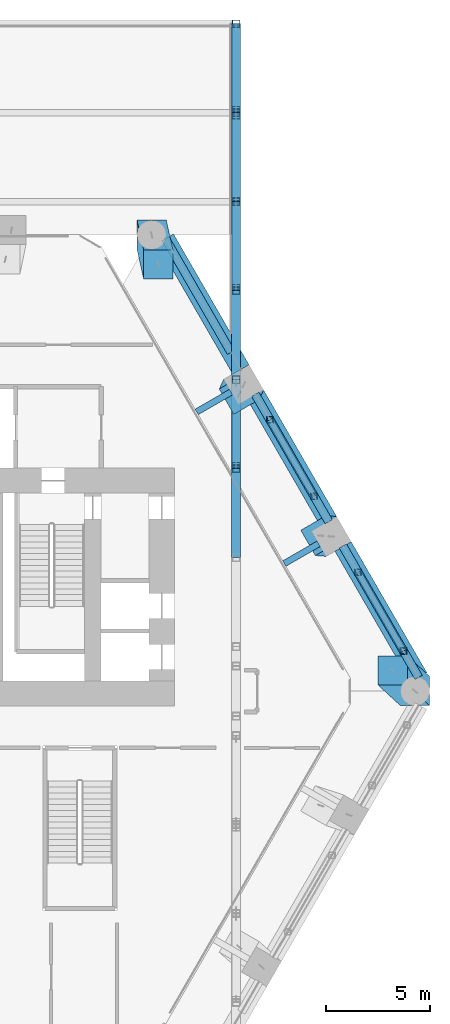
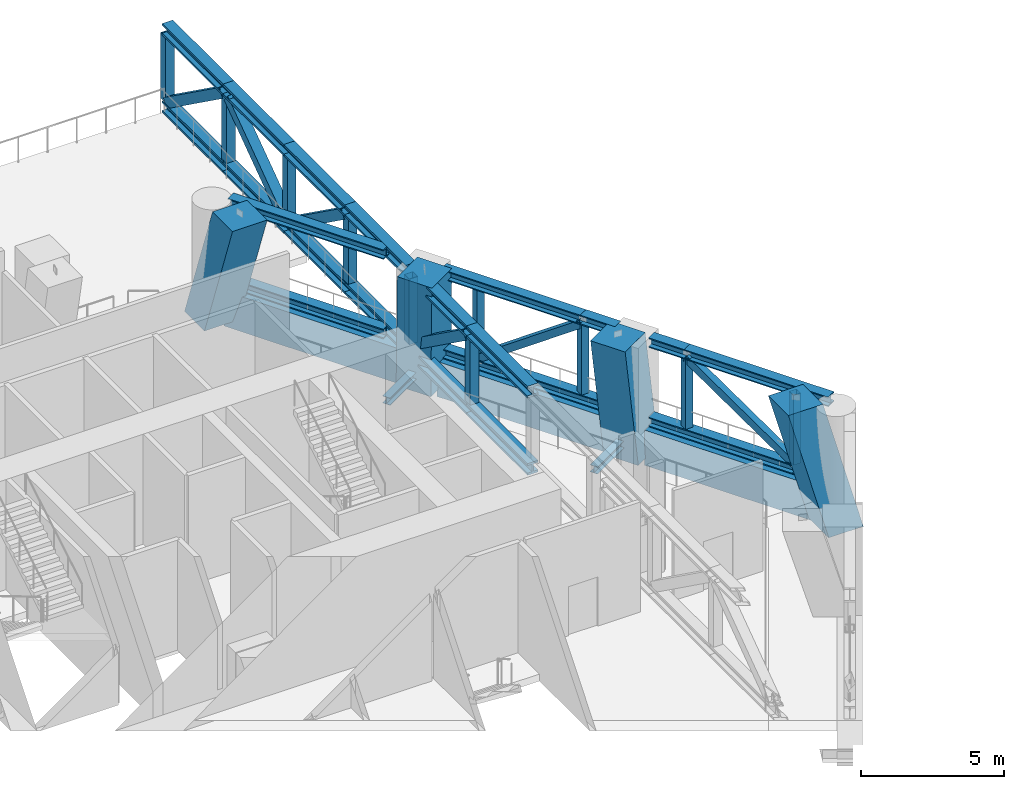
# One storey, part 7 of 20: 42 members, 5 beams.
"""IFC4 building model written with IfcOpenShell, lengths in metres."""

from ifc_helpers import new_model, si_unit, direction, frame, origin, origin_2d, place, context, subcontext, project, spatial, rectangle, hollow_rectangle, i_section, extrude, material, material_profile, profile_set, type_object, element, save


model = new_model("IFC4")

# Units and contexts
model_context = context("Model", 3, precision=1e-05, world=origin(), true_north=direction((0.0, 1.0)))
body_context = subcontext(model_context, "Body", "Model", "MODEL_VIEW")
ifc_project = project(units=[si_unit("LENGTHUNIT", "METRE"), si_unit("AREAUNIT", "SQUARE_METRE"), si_unit("VOLUMEUNIT", "CUBIC_METRE"), si_unit("PLANEANGLEUNIT", "RADIAN"), si_unit("MASSUNIT", "GRAM", prefix="KILO")], contexts=[model_context])

# Site, building, storey
site_placement = place(None, origin())
site = spatial("IfcSite", under=ifc_project, at=site_placement, CompositionType="ELEMENT")
building_placement = place(site_placement, origin())
building = spatial("IfcBuilding", under=site, at=building_placement, Name="Ostrander Bayou Hotel Tower", CompositionType="ELEMENT")
storey_placement = place(building_placement, frame((0.0, 0.0, 80.5)))
storey = spatial("IfcBuildingStorey", under=building, at=storey_placement, Name="L20", CompositionType="ELEMENT", Elevation=80.5)

# Members
ifc_material_1 = material(Name="Steel ASTM A992", Category="steel")
ifc_material_profile_1 = material_profile(ifc_material_1, i_section(OverallWidth=0.403564453125, OverallDepth=0.407470703125, WebThickness=0.027099609375, FlangeThickness=0.043701171875, at=origin_2d()))
ifc_profile_set_1 = profile_set([ifc_material_profile_1], Name="Steel ASTM A992")
member_type_1 = type_object("IfcMemberType", Name="BT1 belt truss chord W14x233", PredefinedType="CHORD", material=ifc_profile_set_1)
member_1_placement = place(storey_placement, frame((23.707275390625, -0.325927734375, 0.20361328125), z_axis=(-0.50000343918, 0.866023418164, 0.0), x_axis=(-0.866023418164, -0.50000343918, 0.0)))
element("IfcMember", 1, at=member_1_placement, inside=storey, type_object=member_type_1, Name="BT1 L20 NE-1B1", PredefinedType="CHORD", context=body_context, shape_type="SweptSolid", body=[
    extrude(i_section(OverallWidth=0.403564453125, OverallDepth=0.407470703125, WebThickness=0.027099609375, FlangeThickness=0.043701171875, at=origin_2d()), origin(), (0.0, 0.0, 1.0), 1.4541015625),
])
for number, where, z_axis, x_axis, name in (
    (2, (22.980224609375, 0.933349609375, 0.20361328125), (-0.50000343918, 0.866023418164, 0.0), (-0.866023418164, -0.50000343918, 0.0), "BT1 L20 NE-1B2"),
    (3, (23.707275390625, -0.325927734375, 3.59619140625), (-0.50000343918, 0.866023418164, 0.0), (-0.866023418164, -0.50000343918, 0.0), "BT1 L20 NE-1T1"),
):
    element("IfcMember", number, at=place(storey_placement, frame(where, z_axis=z_axis, x_axis=x_axis)), inside=storey, type_object=member_type_1, Name=name, PredefinedType="CHORD", context=body_context, shape_type="SweptSolid", body=[
        extrude(i_section(OverallWidth=0.403564453125, OverallDepth=0.407470703125, WebThickness=0.027099609375, FlangeThickness=0.043701171875, at=origin_2d()), origin(), (0.0, 0.0, 1.0), 5.81640625),
    ])
member_2_placement = place(storey_placement, frame((20.799072265625, 4.711181640625, 3.59619140625), z_axis=(-0.50000343918, 0.866023418164, 0.0), x_axis=(-0.866023418164, -0.50000343918, 0.0)))
element("IfcMember", 4, at=member_2_placement, inside=storey, type_object=member_type_1, Name="BT1 L20 NE-1T2", PredefinedType="CHORD", context=body_context, shape_type="SweptSolid", body=[
    extrude(i_section(OverallWidth=0.403564453125, OverallDepth=0.407470703125, WebThickness=0.027099609375, FlangeThickness=0.043701171875, at=origin_2d()), origin(), (0.0, 0.0, 1.0), 1.4541015625),
])
member_3_placement = place(storey_placement, frame((19.402099609375, 7.131103515625, 0.20361328125), z_axis=(-0.500012199891, 0.86601836006, 0.0), x_axis=(-0.86601836006, -0.500012199891, 0.0)))
element("IfcMember", 5, at=member_3_placement, inside=storey, type_object=member_type_1, Name="BT1 L20 NE-2B1", PredefinedType="CHORD", context=body_context, shape_type="SweptSolid", body=[
    extrude(i_section(OverallWidth=0.403564453125, OverallDepth=0.407470703125, WebThickness=0.027099609375, FlangeThickness=0.043701171875, at=origin_2d()), origin(), (0.0, 0.0, 1.0), 5.640380859375),
])
for number, where, z_axis, x_axis, name in (
    (6, (16.581787109375, 12.015869140625, 0.20361328125), (-0.500012199891, 0.86601836006, 0.0), (-0.86601836006, -0.500012199891, 0.0), "BT1 L20 NE-2B2"),
    (7, (19.402099609375, 7.131103515625, 3.59619140625), (-0.500012199891, 0.86601836006, 0.0), (-0.86601836006, -0.500012199891, 0.0), "BT1 L20 NE-2T1"),
):
    element("IfcMember", number, at=place(storey_placement, frame(where, z_axis=z_axis, x_axis=x_axis)), inside=storey, type_object=member_type_1, Name=name, PredefinedType="CHORD", context=body_context, shape_type="SweptSolid", body=[
        extrude(i_section(OverallWidth=0.403564453125, OverallDepth=0.407470703125, WebThickness=0.027099609375, FlangeThickness=0.043701171875, at=origin_2d()), origin(), (0.0, 0.0, 1.0), 1.41015625),
    ])
member_4_placement = place(storey_placement, frame((18.697021484375, 8.352294921875, 3.59619140625), z_axis=(-0.500012199891, 0.86601836006, 0.0), x_axis=(-0.86601836006, -0.500012199891, 0.0)))
element("IfcMember", 8, at=member_4_placement, inside=storey, type_object=member_type_1, Name="BT1 L20 NE-2T2", PredefinedType="CHORD", context=body_context, shape_type="SweptSolid", body=[
    extrude(i_section(OverallWidth=0.403564453125, OverallDepth=0.407470703125, WebThickness=0.027099609375, FlangeThickness=0.043701171875, at=origin_2d()), origin(), (0.0, 0.0, 1.0), 5.640380859375),
])
for number, where, z_axis, x_axis, name in (
    (9, (14.718994140625, 15.2421875, 0.20361328125), (-0.500005559427, 0.866022194024, 0.0), (-0.866022194024, -0.500005559427, 0.0), "BT1 L20 NE-3B2"),
    (10, (14.718994140625, 15.2421875, 3.59619140625), (-0.500005559427, 0.866022194024, 0.0), (-0.866022194024, -0.500005559427, 0.0), "BT1 L20 NE-3T2"),
):
    element("IfcMember", number, at=place(storey_placement, frame(where, z_axis=z_axis, x_axis=x_axis)), inside=storey, type_object=member_type_1, Name=name, PredefinedType="CHORD", context=body_context, shape_type="SweptSolid", body=[
        extrude(i_section(OverallWidth=0.403564453125, OverallDepth=0.407470703125, WebThickness=0.027099609375, FlangeThickness=0.043701171875, at=origin_2d()), origin(), (0.0, 0.0, 1.0), 6.29541015625),
    ])
ifc_material_2 = material(Name="Steel ASTM A572 Gr 50", Category="steel")
ifc_material_profile_2 = material_profile(ifc_material_2, hollow_rectangle(XDim=0.3046875, YDim=0.3046875, WallThickness=0.017822265625, at=origin_2d()))
ifc_profile_set_2 = profile_set([ifc_material_profile_2], Name="Steel ASTM A572 Gr 50")
member_type_2 = type_object("IfcMemberType", Name="BT2 belt truss diagonal box 12 x 12 x 3/4", PredefinedType="BRACE", material=ifc_profile_set_2)
member_5_placement = place(storey_placement, frame((22.980224609375, 0.933349609375, 0.407470703125), z_axis=(-0.412639136014, 0.714705394077, 0.564734577574), x_axis=(-0.866023418164, -0.50000343918, 0.0)))
element("IfcMember", 11, at=member_5_placement, inside=storey, type_object=member_type_2, Name="BT2 L20 NE-1D", PredefinedType="BRACE", context=body_context, shape_type="SweptSolid", body=[
    extrude(hollow_rectangle(XDim=0.3046875, YDim=0.3046875, WallThickness=0.017822265625, at=origin_2d()), origin(), (0.0, 0.0, 1.0), 5.285888671875),
])
member_6_placement = place(storey_placement, frame((16.581787109375, 12.015869140625, 0.407470703125), z_axis=(0.408540891209, -0.707590560189, 0.57655003195), x_axis=(0.86601836006, 0.500012199891, 0.0)))
element("IfcMember", 12, at=member_6_placement, inside=storey, type_object=member_type_2, Name="BT2 L20 NE-2D", PredefinedType="BRACE", context=body_context, shape_type="SweptSolid", body=[
    extrude(hollow_rectangle(XDim=0.3046875, YDim=0.3046875, WallThickness=0.017822265625, at=origin_2d()), origin(), (0.0, 0.0, 1.0), 5.177490234375),
])
ifc_material_3 = material(Name="Steel ASTM A500 Gr C", Category="steel")
ifc_material_profile_3 = material_profile(ifc_material_3, hollow_rectangle(XDim=0.3046875, YDim=0.3046875, WallThickness=0.0146484375, at=origin_2d()))
ifc_profile_set_3 = profile_set([ifc_material_profile_3], Name="Steel ASTM A500 Gr C")
member_type_3 = type_object("IfcMemberType", Name="BT7 belt truss vertical HSS12x12x5/8", PredefinedType="POST", material=ifc_profile_set_3)
for number, where, z_axis, x_axis, name in (
    (13, (22.980224609375, 0.933349609375, 0.407470703125), (0.0, 0.0, 1.0), (1.0, 0.0, 0.0), "BT7 L20 NE-1V1"),
    (14, (20.799072265625, 4.711181640625, 0.407470703125), (0.0, 0.0, 1.0), (1.0, 0.0, 0.0), "BT7 L20 NE-1V2"),
    (15, (18.697021484375, 8.352294921875, 0.407470703125), (0.0, 0.0, 1.0), (1.0, 0.0, 0.0), "BT7 L20 NE-2V1"),
    (16, (16.581787109375, 12.015869140625, 0.407470703125), (0.0, 0.0, 1.0), (1.0, 0.0, 0.0), "BT7 L20 NE-2V2"),
):
    element("IfcMember", number, at=place(storey_placement, frame(where, z_axis=z_axis, x_axis=x_axis)), inside=storey, type_object=member_type_3, Name=name, PredefinedType="POST", context=body_context, shape_type="SweptSolid", body=[
        extrude(hollow_rectangle(XDim=0.3046875, YDim=0.3046875, WallThickness=0.0146484375, at=origin_2d()), origin(), (0.0, 0.0, 1.0), 2.985107421875),
    ])
ifc_material_4 = material(Name="Concrete f'c 70 MPa", Category="concrete")
ifc_material_profile_4 = material_profile(ifc_material_4, rectangle(XDim=1.39990234375, YDim=1.39990234375, at=origin_2d()))
ifc_profile_set_4 = profile_set([ifc_material_profile_4], Name="Concrete f'c 70 MPa")
member_type_4 = type_object("IfcMemberType", Name="KC1 kinked column 1400 x 1400 mm f'c 70 MPa", PredefinedType="STRUT", material=ifc_profile_set_4)
member_7_placement = place(storey_placement, frame((23.5341796875, -0.98193359375, -1.199951171875), z_axis=(0.0, 0.0, 1.0), x_axis=(1.0, 0.0, 0.0)))
element("IfcMember", 17, at=member_7_placement, inside=storey, type_object=member_type_4, Name="KC1 L20 K4", PredefinedType="STRUT", context=body_context, shape_type="SweptSolid", body=[
    extrude(rectangle(XDim=1.39990234375, YDim=1.39990234375, at=origin_2d()), origin(), (-0.204620963045, 0.188628355115, 0.960494458667), 5.20556640625),
])
member_8_placement = place(storey_placement, frame((10.916748046875, 20.872314453125, -1.199951171875), z_axis=(0.0, 0.0, 1.0), x_axis=(1.0, 0.0, 0.0)))
element("IfcMember", 18, at=member_8_placement, inside=storey, type_object=member_type_4, Name="KC1 L20 K5", PredefinedType="STRUT", context=body_context, shape_type="SweptSolid", body=[
    extrude(rectangle(XDim=1.39990234375, YDim=1.39990234375, at=origin_2d()), origin(), (0.061062211322, -0.271543935141, 0.960487010655), 5.205810546875),
])
member_9_placement = place(storey_placement, frame((19.5205078125, 6.42578125, -1.199951171875), z_axis=(0.0, 0.0, 1.0), x_axis=(0.5, -0.866025403784, 0.0)))
element("IfcMember", 19, at=member_9_placement, inside=storey, type_object=member_type_4, Name="KC1 L20 NE1", PredefinedType="STRUT", context=body_context, shape_type="SweptSolid", body=[
    extrude(rectangle(XDim=1.39990234375, YDim=1.39990234375, at=origin_2d()), origin(), (-0.057443154127, -0.083172240782, 0.994878214862), 5.025634765625),
])
member_10_placement = place(storey_placement, frame((15.3251953125, 13.6923828125, -1.199951171875), z_axis=(0.0, 0.0, 1.0), x_axis=(0.5, -0.866025403784, 0.0)))
element("IfcMember", 20, at=member_10_placement, inside=storey, type_object=member_type_4, Name="KC1 L20 NE2", PredefinedType="STRUT", context=body_context, shape_type="SweptSolid", body=[
    extrude(rectangle(XDim=1.39990234375, YDim=1.39990234375, at=origin_2d()), origin(), (0.057425422345, -0.083189594665, 0.994877787574), 5.025634765625),
])

# Beams
ifc_material_5 = material(Name="Steel ASTM A992", Category="steel")
ifc_material_profile_5 = material_profile(ifc_material_5, i_section(OverallWidth=0.3046875, OverallDepth=0.307861328125, WebThickness=0.010009765625, FlangeThickness=0.015380859375, at=origin_2d()))
ifc_profile_set_5 = profile_set([ifc_material_profile_5], Name="Steel ASTM A992")
beam_type_1 = type_object("IfcBeamType", Name="LB1 loggia bracket W12x65", PredefinedType="BEAM", material=ifc_profile_set_5)
for number, where, z_axis, x_axis, name in (
    (21, (18.914306640625, 6.07568359375, -0.453857421875), (-0.866044365799, -0.499967155389, 0.0), (0.499967155389, -0.866044365799, 0.0), "LB1 L20 NE1"),
    (22, (14.718994140625, 13.34228515625, -0.453857421875), (-0.866044365799, -0.499967155389, 0.0), (0.499967155389, -0.866044365799, 0.0), "LB1 L20 NE2"),
):
    element("IfcBeam", number, at=place(storey_placement, frame(where, z_axis=z_axis, x_axis=x_axis)), inside=storey, type_object=beam_type_1, Name=name, PredefinedType="BEAM", context=body_context, shape_type="SweptSolid", body=[
        extrude(i_section(OverallWidth=0.3046875, OverallDepth=0.307861328125, WebThickness=0.010009765625, FlangeThickness=0.015380859375, at=origin_2d()), origin(), (0.0, 0.0, 1.0), 1.900146484375),
    ])
ifc_material_6 = material(Name="Concrete f'c 70 MPa", Category="concrete")
ifc_material_profile_6 = material_profile(ifc_material_6, rectangle(XDim=0.89990234375, YDim=1.5, at=origin_2d()))
ifc_profile_set_6 = profile_set([ifc_material_profile_6], Name="Concrete f'c 70 MPa")
beam_type_2 = type_object("IfcBeamType", Name="SPB1 belt spandrel beam 900 x 1500 mm f'c 70 MPa", PredefinedType="SPANDREL", material=ifc_profile_set_6)
beam_1_placement = place(storey_placement, frame((23.707275390625, -0.325927734375, -0.75), z_axis=(-0.50000343918, 0.866023418164, 0.0), x_axis=(-0.866023418164, -0.50000343918, 0.0)))
element("IfcBeam", 23, at=beam_1_placement, inside=storey, type_object=beam_type_2, Name="SP1 L20 NE-1", PredefinedType="SPANDREL", context=body_context, shape_type="SweptSolid", body=[
    extrude(rectangle(XDim=0.89990234375, YDim=1.5, at=origin_2d()), origin(), (0.0, 0.0, 1.0), 7.2705078125),
])
beam_2_placement = place(storey_placement, frame((19.402099609375, 7.131103515625, -0.75), z_axis=(-0.500012199891, 0.86601836006, 0.0), x_axis=(-0.86601836006, -0.500012199891, 0.0)))
element("IfcBeam", 24, at=beam_2_placement, inside=storey, type_object=beam_type_2, Name="SP1 L20 NE-2", PredefinedType="SPANDREL", context=body_context, shape_type="SweptSolid", body=[
    extrude(rectangle(XDim=0.89990234375, YDim=1.5, at=origin_2d()), origin(), (0.0, 0.0, 1.0), 7.050537109375),
])
beam_3_placement = place(storey_placement, frame((15.20654296875, 14.397705078125, -0.75), z_axis=(-0.50000343918, 0.866023418164, 0.0), x_axis=(-0.866023418164, -0.50000343918, 0.0)))
element("IfcBeam", 25, at=beam_3_placement, inside=storey, type_object=beam_type_2, Name="SP1 L20 NE-3", PredefinedType="SPANDREL", context=body_context, shape_type="SweptSolid", body=[
    extrude(rectangle(XDim=0.89990234375, YDim=1.5, at=origin_2d()), origin(), (0.0, 0.0, 1.0), 7.2705078125),
])

# Members
ifc_material_7 = material(Name="Steel ASTM A992", Category="steel")
ifc_material_profile_7 = material_profile(ifc_material_7, i_section(OverallWidth=0.43212890625, OverallDepth=0.497802734375, WebThickness=0.0556640625, FlangeThickness=0.0888671875, at=origin_2d()))
ifc_profile_set_7 = profile_set([ifc_material_profile_7], Name="Steel ASTM A992")
member_type_5 = type_object("IfcMemberType", Name="TT1 through-truss chord W14x500", PredefinedType="CHORD", material=ifc_profile_set_7)
for number, where, z_axis, x_axis, name in (
    (26, (14.965087890625, 30.986083984375, 0.248779296875), (0.0, -1.0, 0.0), (1.0, 0.0, 0.0), "TT1 SB1B B1"),
    (27, (14.965087890625, 30.986083984375, 3.551025390625), (0.0, -1.0, 0.0), (1.0, 0.0, 0.0), "TT1 SB1B T1"),
):
    element("IfcMember", number, at=place(storey_placement, frame(where, z_axis=z_axis, x_axis=x_axis)), inside=storey, type_object=member_type_5, Name=name, PredefinedType="CHORD", context=body_context, shape_type="SweptSolid", body=[
        extrude(i_section(OverallWidth=0.43212890625, OverallDepth=0.497802734375, WebThickness=0.0556640625, FlangeThickness=0.0888671875, at=origin_2d()), origin(), (0.0, 0.0, 1.0), 4.26220703125),
    ])
for number, where, z_axis, x_axis, name in (
    (28, (14.965087890625, 26.723876953125, 0.248779296875), (0.0, -1.0, 0.0), (1.0, 0.0, 0.0), "TT1 SB1B B2"),
    (29, (14.965087890625, 26.723876953125, 3.551025390625), (0.0, -1.0, 0.0), (1.0, 0.0, 0.0), "TT1 SB1B T2"),
    (30, (14.965087890625, 22.46142578125, 0.248779296875), (0.0, -1.0, 0.0), (1.0, 0.0, 0.0), "TT1 SB1B B3"),
    (31, (14.965087890625, 22.46142578125, 3.551025390625), (0.0, -1.0, 0.0), (1.0, 0.0, 0.0), "TT1 SB1B T3"),
    (32, (14.965087890625, 18.198974609375, 0.248779296875), (0.0, -1.0, 0.0), (1.0, 0.0, 0.0), "TT1 SB1B B4"),
    (33, (14.965087890625, 18.198974609375, 3.551025390625), (0.0, -1.0, 0.0), (1.0, 0.0, 0.0), "TT1 SB1B T4"),
    (34, (14.965087890625, 13.9365234375, 0.248779296875), (0.0, -1.0, 0.0), (1.0, 0.0, 0.0), "TT1 SB1B B5"),
    (35, (14.965087890625, 13.9365234375, 3.551025390625), (0.0, -1.0, 0.0), (1.0, 0.0, 0.0), "TT1 SB1B T5"),
    (36, (14.965087890625, 9.674072265625, 0.248779296875), (0.0, -1.0, 0.0), (1.0, 0.0, 0.0), "TT1 SB1B B6"),
    (37, (14.965087890625, 9.674072265625, 3.551025390625), (0.0, -1.0, 0.0), (1.0, 0.0, 0.0), "TT1 SB1B T6"),
):
    element("IfcMember", number, at=place(storey_placement, frame(where, z_axis=z_axis, x_axis=x_axis)), inside=storey, type_object=member_type_5, Name=name, PredefinedType="CHORD", context=body_context, shape_type="SweptSolid", body=[
        extrude(i_section(OverallWidth=0.43212890625, OverallDepth=0.497802734375, WebThickness=0.0556640625, FlangeThickness=0.0888671875, at=origin_2d()), origin(), (0.0, 0.0, 1.0), 4.262451171875),
    ])
ifc_material_8 = material(Name="Steel ASTM A500 Gr C", Category="steel")
ifc_material_profile_8 = material_profile(ifc_material_8, hollow_rectangle(XDim=0.355712890625, YDim=0.355712890625, WallThickness=0.0146484375, at=origin_2d()))
ifc_profile_set_8 = profile_set([ifc_material_profile_8], Name="Steel ASTM A500 Gr C")
member_type_6 = type_object("IfcMemberType", Name="TT2 through-truss post HSS14x14x5/8", PredefinedType="POST", material=ifc_profile_set_8)
for number, where, z_axis, x_axis, name in (
    (38, (14.965087890625, 30.986083984375, 0.497802734375), (0.0, 0.0, 1.0), (1.0, 0.0, 0.0), "TT2 SB1B P1"),
    (39, (14.965087890625, 26.723876953125, 0.497802734375), (0.0, 0.0, 1.0), (1.0, 0.0, 0.0), "TT2 SB1B P2"),
    (40, (14.965087890625, 22.46142578125, 0.497802734375), (0.0, 0.0, 1.0), (1.0, 0.0, 0.0), "TT2 SB1B P3"),
    (41, (14.965087890625, 18.198974609375, 0.497802734375), (0.0, 0.0, 1.0), (1.0, 0.0, 0.0), "TT2 SB1B P4"),
    (42, (14.965087890625, 13.9365234375, 0.497802734375), (0.0, 0.0, 1.0), (1.0, 0.0, 0.0), "TT2 SB1B P5"),
    (43, (14.965087890625, 9.674072265625, 0.497802734375), (0.0, 0.0, 1.0), (1.0, 0.0, 0.0), "TT2 SB1B P6"),
):
    element("IfcMember", number, at=place(storey_placement, frame(where, z_axis=z_axis, x_axis=x_axis)), inside=storey, type_object=member_type_6, Name=name, PredefinedType="POST", context=body_context, shape_type="SweptSolid", body=[
        extrude(hollow_rectangle(XDim=0.355712890625, YDim=0.355712890625, WallThickness=0.0146484375, at=origin_2d()), origin(), (0.0, 0.0, 1.0), 2.804443359375),
    ])
ifc_material_9 = material(Name="Steel ASTM A572 Gr 50", Category="steel")
ifc_material_profile_9 = material_profile(ifc_material_9, hollow_rectangle(XDim=0.406494140625, YDim=0.406494140625, WallThickness=0.017822265625, at=origin_2d()))
ifc_profile_set_9 = profile_set([ifc_material_profile_9], Name="Steel ASTM A572 Gr 50")
member_type_7 = type_object("IfcMemberType", Name="TT3 through-truss diagonal box 16 x 16 x 3/4", PredefinedType="BRACE", material=ifc_profile_set_9)
for number, where, z_axis, x_axis, name in (
    (44, (14.965087890625, 30.808349609375, 0.497802734375), (0.0, -0.812362582887, 0.583152667768), (1.0, 0.0, 0.0), "TT3 SB1B D1"),
    (45, (14.965087890625, 22.63916015625, 0.497802734375), (0.0, 0.812362582887, 0.583152667768), (-1.0, 0.0, 0.0), "TT3 SB1B D2"),
):
    element("IfcMember", number, at=place(storey_placement, frame(where, z_axis=z_axis, x_axis=x_axis)), inside=storey, type_object=member_type_7, Name=name, PredefinedType="BRACE", context=body_context, shape_type="SweptSolid", body=[
        extrude(hollow_rectangle(XDim=0.406494140625, YDim=0.406494140625, WallThickness=0.017822265625, at=origin_2d()), origin(), (0.0, 0.0, 1.0), 4.80908203125),
    ])
for number, where, z_axis, x_axis, name in (
    (46, (14.965087890625, 22.28369140625, 0.497802734375), (0.0, -0.81237984577, 0.583128618906), (1.0, 0.0, 0.0), "TT3 SB1B D3"),
    (47, (14.965087890625, 13.7587890625, 0.497802734375), (0.0, -0.81237984577, 0.583128618906), (1.0, 0.0, 0.0), "TT3 SB1B D5"),
):
    element("IfcMember", number, at=place(storey_placement, frame(where, z_axis=z_axis, x_axis=x_axis)), inside=storey, type_object=member_type_7, Name=name, PredefinedType="BRACE", context=body_context, shape_type="SweptSolid", body=[
        extrude(hollow_rectangle(XDim=0.406494140625, YDim=0.406494140625, WallThickness=0.017822265625, at=origin_2d()), origin(), (0.0, 0.0, 1.0), 4.809326171875),
    ])

save(model, "model.ifc")
